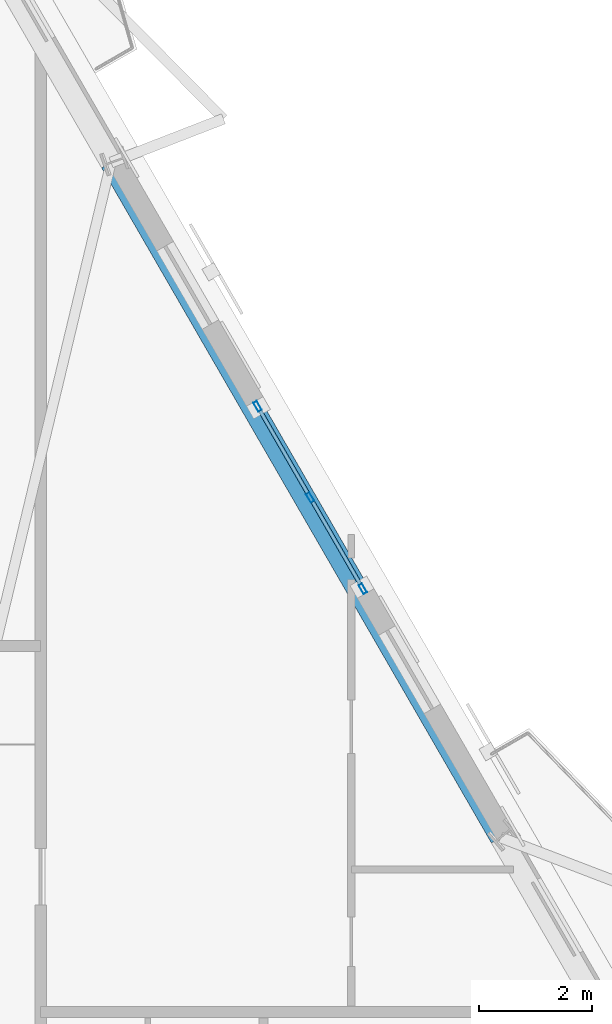
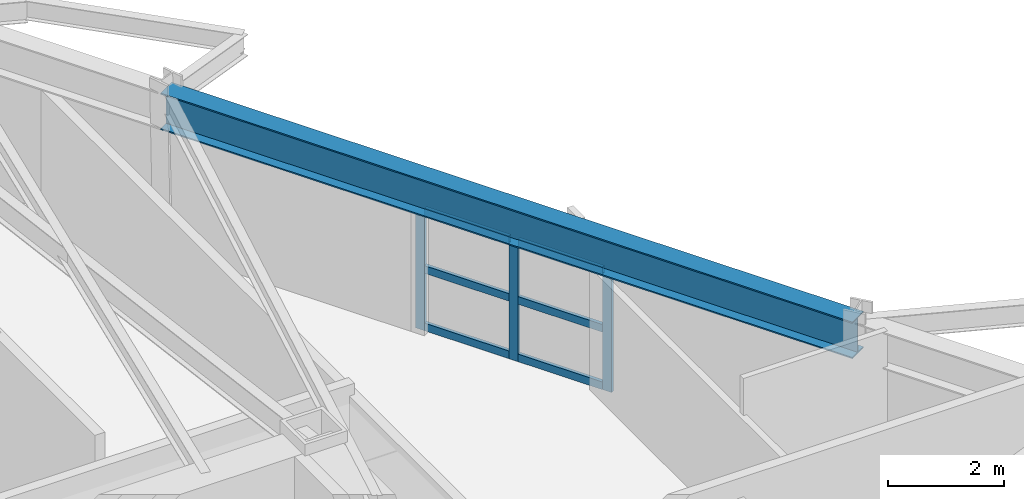
# One storey, part 5 of 15: 9 members, 1 beam, 1 element without a shape of its own.
"""IFC4 building model written with IfcOpenShell, lengths in metres."""

from ifc_helpers import new_model, si_unit, direction, frame, origin, origin_2d, place, context, subcontext, project, spatial, hollow_rectangle, i_section, extrude, material, layer, layer_set, material_profile, profile_set, type_object, element, aggregate, save


model = new_model("IFC4")

# Units and contexts
model_context = context("Model", 3, precision=1e-05, world=origin(), true_north=direction((0.0, 1.0)))
body_context = subcontext(model_context, "Body", "Model", "MODEL_VIEW")
ifc_project = project(units=[si_unit("LENGTHUNIT", "METRE"), si_unit("AREAUNIT", "SQUARE_METRE"), si_unit("VOLUMEUNIT", "CUBIC_METRE"), si_unit("PLANEANGLEUNIT", "RADIAN"), si_unit("MASSUNIT", "GRAM", prefix="KILO")], contexts=[model_context])

# Site, building, storey
site_placement = place(None, origin())
site = spatial("IfcSite", under=ifc_project, at=site_placement, CompositionType="ELEMENT")
building_placement = place(site_placement, origin())
building = spatial("IfcBuilding", under=site, at=building_placement, Name="Oramaril Tower", CompositionType="ELEMENT")
storey_placement = place(building_placement, frame((0.0, 0.0, 93.300048828125)))
storey = spatial("IfcBuildingStorey", under=building, at=storey_placement, Name="L24", CompositionType="ELEMENT", Elevation=93.300048828125)

# Beam
ifc_material_1 = material(Name="Steel ASTM A572 Gr 50", Category="steel")
ifc_material_profile_1 = material_profile(ifc_material_1, i_section(OverallWidth=0.381103515625, OverallDepth=0.77197265625, WebThickness=0.0166015625, FlangeThickness=0.027099609375, at=origin_2d()), Name="W30X173")
ifc_profile_set_1 = profile_set([ifc_material_profile_1], Name="Steel ASTM A572 Gr 50")
beam_type = type_object("IfcBeamType", Name="BT-SP2", PredefinedType="SPANDREL", material=ifc_profile_set_1)
beam_placement = place(storey_placement, frame((55.580810546875, 22.586181640625, 2.973876953125), z_axis=(-0.500006794592, 0.866021480889, 0.0), x_axis=(-0.866021480889, -0.500006794592, 0.0)))
element("IfcBeam", 1, at=beam_placement, inside=storey, type_object=beam_type, Name="L24 Perimeter Spandrel 10", PredefinedType="SPANDREL", context=body_context, shape_type="SweptSolid", body=[
    extrude(i_section(OverallWidth=0.381103515625, OverallDepth=0.77197265625, WebThickness=0.0166015625, FlangeThickness=0.027099609375, at=origin_2d()), origin(), (0.0, 0.0, 1.0), 13.774658203125),
])

# Curtain wall, members
ifc_material_2 = material(Name="Anodised Aluminium 6063-T6", Category="aluminium")
ifc_layer = layer(ifc_material_2, 0.179931640625)
ifc_layer_set = layer_set([ifc_layer], Name="CWT-SYS3")
curtain_wall_type = type_object("IfcCurtainWallType", Name="CWT-SYS3", PredefinedType="NOTDEFINED", material=ifc_layer_set)
curtain_wall_placement = place(storey_placement, origin())
curtain_wall = element("IfcCurtainWall", 2, at=curtain_wall_placement, inside=storey, type_object=curtain_wall_type, Name="L24 Unitised Curtain Wall CW-3", PredefinedType="NOTDEFINED")
ifc_material_3 = material(Name="Anodised Aluminium 6063-T6", Category="aluminium")
ifc_material_profile_2 = material_profile(ifc_material_3, hollow_rectangle(XDim=0.070068359375, YDim=0.179931640625, WallThickness=0.00390625, at=origin_2d()), Name="CWM180X70")
ifc_profile_set_2 = profile_set([ifc_material_profile_2], Name="Anodised Aluminium 6063-T6")
member_type_1 = type_object("IfcMemberType", Name="MT-CWM2", PredefinedType="MULLION", material=ifc_profile_set_2)
member_1_placement = place(storey_placement, frame((53.143798828125, 26.984130859375, 0.0), z_axis=(0.0, 0.0, 1.0), x_axis=(-0.866025463091, -0.499999897278, 0.0)))
member_1 = element("IfcMember", 3, at=member_1_placement, type_object=member_type_1, Name="CW-3 mullion 1", PredefinedType="MULLION", context=body_context, shape_type="SweptSolid", body=[
    extrude(hollow_rectangle(XDim=0.070068359375, YDim=0.179931640625, WallThickness=0.00390625, at=origin_2d()), origin(), (0.0, 0.0, 1.0), 2.577880859375),
])
member_2_placement = place(storey_placement, frame((52.2138671875, 28.594970703125, 0.0), z_axis=(0.0, 0.0, 1.0), x_axis=(-0.866025463091, -0.499999897278, 0.0)))
member_2 = element("IfcMember", 4, at=member_2_placement, type_object=member_type_1, Name="CW-3 mullion 2", PredefinedType="MULLION", context=body_context, shape_type="SweptSolid", body=[
    extrude(hollow_rectangle(XDim=0.070068359375, YDim=0.179931640625, WallThickness=0.00390625, at=origin_2d()), origin(), (0.0, 0.0, 1.0), 2.577880859375),
])
member_3_placement = place(storey_placement, frame((51.28369140625, 30.205810546875, 0.0), z_axis=(0.0, 0.0, 1.0), x_axis=(-0.866025463091, -0.499999897278, 0.0)))
member_3 = element("IfcMember", 5, at=member_3_placement, type_object=member_type_1, Name="CW-3 mullion 3", PredefinedType="MULLION", context=body_context, shape_type="SweptSolid", body=[
    extrude(hollow_rectangle(XDim=0.070068359375, YDim=0.179931640625, WallThickness=0.00390625, at=origin_2d()), origin(), (0.0, 0.0, 1.0), 2.577880859375),
])
ifc_material_4 = material(Name="Anodised Aluminium 6063-T6", Category="aluminium")
ifc_material_profile_3 = material_profile(ifc_material_4, hollow_rectangle(XDim=0.070068359375, YDim=0.159912109375, WallThickness=0.00390625, at=origin_2d()), Name="CWT160X70")
ifc_profile_set_3 = profile_set([ifc_material_profile_3], Name="Anodised Aluminium 6063-T6")
member_type_2 = type_object("IfcMemberType", Name="MT-CWT1", PredefinedType="USERDEFINED", material=ifc_profile_set_3)
member_4_placement = place(storey_placement, frame((53.098876953125, 27.06201171875, 0.079833984375), z_axis=(-0.499999171277, 0.866025882247, 0.0), x_axis=(-0.866025882247, -0.499999171277, 0.0)))
member_4 = element("IfcMember", 6, at=member_4_placement, type_object=member_type_2, Name="CW-3 transom 1.1", ObjectType="TRANSOM", PredefinedType="USERDEFINED", context=body_context, shape_type="SweptSolid", body=[
    extrude(hollow_rectangle(XDim=0.070068359375, YDim=0.159912109375, WallThickness=0.00390625, at=origin_2d()), origin(), (0.0, 0.0, 1.0), 1.68017578125),
])
member_5_placement = place(storey_placement, frame((53.098876953125, 27.06201171875, 1.2890625), z_axis=(-0.499999171277, 0.866025882247, 0.0), x_axis=(-0.866025882247, -0.499999171277, 0.0)))
member_5 = element("IfcMember", 7, at=member_5_placement, type_object=member_type_2, Name="CW-3 transom 1.2", ObjectType="TRANSOM", PredefinedType="USERDEFINED", context=body_context, shape_type="SweptSolid", body=[
    extrude(hollow_rectangle(XDim=0.070068359375, YDim=0.159912109375, WallThickness=0.00390625, at=origin_2d()), origin(), (0.0, 0.0, 1.0), 1.68017578125),
])
member_6_placement = place(storey_placement, frame((53.098876953125, 27.06201171875, 2.498046875), z_axis=(-0.499999171277, 0.866025882247, 0.0), x_axis=(-0.866025882247, -0.499999171277, 0.0)))
member_6 = element("IfcMember", 8, at=member_6_placement, type_object=member_type_2, Name="CW-3 transom 1.3", ObjectType="TRANSOM", PredefinedType="USERDEFINED", context=body_context, shape_type="SweptSolid", body=[
    extrude(hollow_rectangle(XDim=0.070068359375, YDim=0.159912109375, WallThickness=0.00390625, at=origin_2d()), origin(), (0.0, 0.0, 1.0), 1.68017578125),
])
member_7_placement = place(storey_placement, frame((52.168701171875, 28.6728515625, 0.079833984375), z_axis=(-0.499890179513, 0.866088799389, 0.0), x_axis=(-0.866088799389, -0.499890179513, 0.0)))
member_7 = element("IfcMember", 9, at=member_7_placement, type_object=member_type_2, Name="CW-3 transom 2.1", ObjectType="TRANSOM", PredefinedType="USERDEFINED", context=body_context, shape_type="SweptSolid", body=[
    extrude(hollow_rectangle(XDim=0.070068359375, YDim=0.159912109375, WallThickness=0.00390625, at=origin_2d()), origin(), (0.0, 0.0, 1.0), 1.68017578125),
])
member_8_placement = place(storey_placement, frame((52.168701171875, 28.6728515625, 1.2890625), z_axis=(-0.499890179513, 0.866088799389, 0.0), x_axis=(-0.866088799389, -0.499890179513, 0.0)))
member_8 = element("IfcMember", 10, at=member_8_placement, type_object=member_type_2, Name="CW-3 transom 2.2", ObjectType="TRANSOM", PredefinedType="USERDEFINED", context=body_context, shape_type="SweptSolid", body=[
    extrude(hollow_rectangle(XDim=0.070068359375, YDim=0.159912109375, WallThickness=0.00390625, at=origin_2d()), origin(), (0.0, 0.0, 1.0), 1.68017578125),
])
member_9_placement = place(storey_placement, frame((52.168701171875, 28.6728515625, 2.498046875), z_axis=(-0.499890179513, 0.866088799389, 0.0), x_axis=(-0.866088799389, -0.499890179513, 0.0)))
member_9 = element("IfcMember", 11, at=member_9_placement, type_object=member_type_2, Name="CW-3 transom 2.3", ObjectType="TRANSOM", PredefinedType="USERDEFINED", context=body_context, shape_type="SweptSolid", body=[
    extrude(hollow_rectangle(XDim=0.070068359375, YDim=0.159912109375, WallThickness=0.00390625, at=origin_2d()), origin(), (0.0, 0.0, 1.0), 1.68017578125),
])
aggregate(curtain_wall, [member_1, member_2, member_3, member_4, member_5, member_6, member_7, member_8, member_9])

save(model, "model.ifc")
